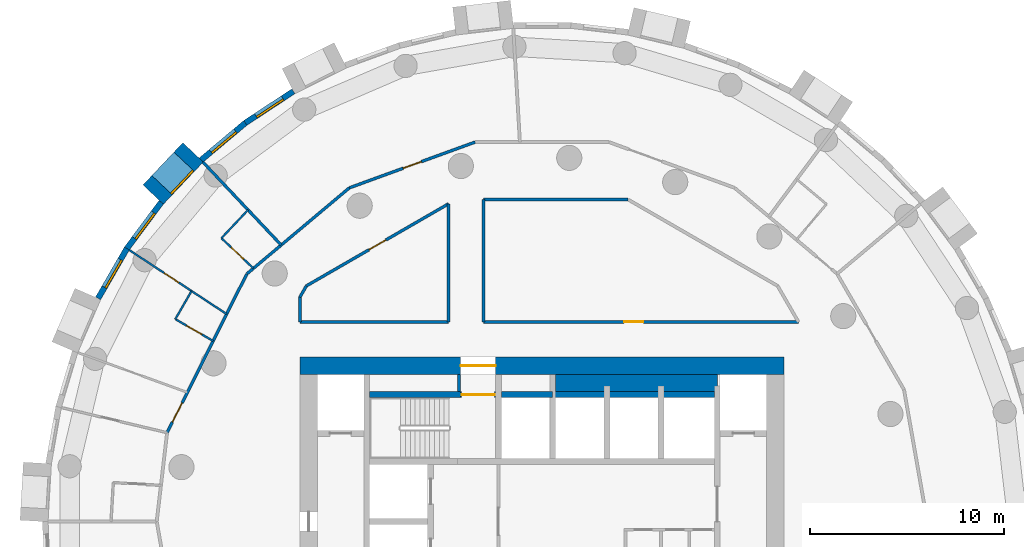
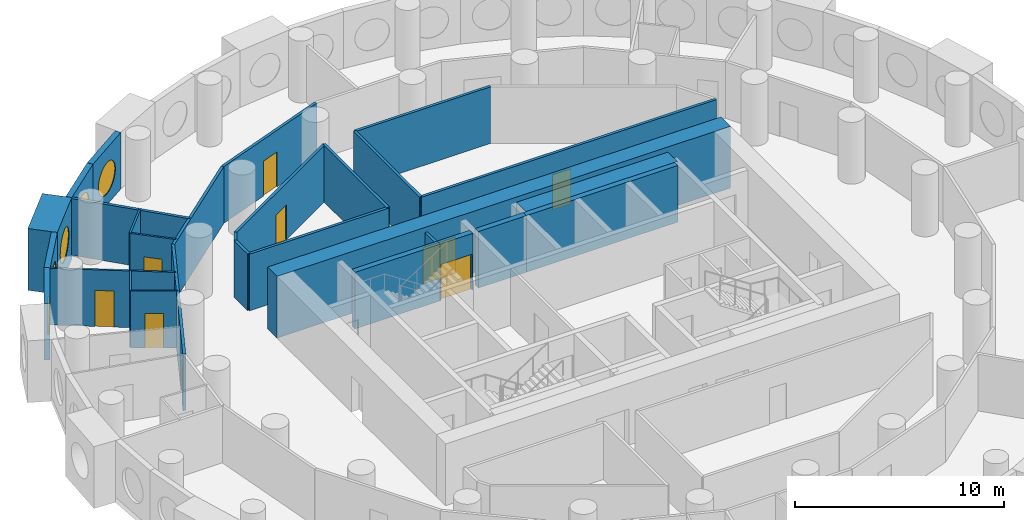
# One storey, part 6 of 9: 30 walls, 9 doors, 5 windows, 14 openings.
"""IFC4 building model written with IfcOpenShell, lengths in metres."""

from ifc_helpers import new_model, si_unit, direction, frame, frame_2d, origin, origin_2d, place, context, subcontext, project, spatial, rectangle, circle, extrude, material, layer, layer_set, type_object, element, fill, save


model = new_model("IFC4")

# Units and contexts
model_context = context("Model", 3, precision=1e-05, world=origin(), true_north=direction((0.0, 1.0)))
body_context = subcontext(model_context, "Body", "Model", "MODEL_VIEW")
ifc_project = project(units=[si_unit("LENGTHUNIT", "METRE"), si_unit("AREAUNIT", "SQUARE_METRE"), si_unit("VOLUMEUNIT", "CUBIC_METRE"), si_unit("PLANEANGLEUNIT", "RADIAN"), si_unit("MASSUNIT", "GRAM", prefix="KILO")], contexts=[model_context])

# Site, building, storey
site_placement = place(None, origin())
site = spatial("IfcSite", under=ifc_project, at=site_placement, CompositionType="ELEMENT")
building_placement = place(site_placement, origin())
building = spatial("IfcBuilding", under=site, at=building_placement, Name="Tracery Tower", CompositionType="ELEMENT")
storey_placement = place(building_placement, frame((0.0, 0.0, 180.0)))
storey = spatial("IfcBuildingStorey", under=building, at=storey_placement, Name="L46", CompositionType="ELEMENT", Elevation=180.0)

# Walls
ifc_material_1 = material(Name="Plasterboard on steel studs", Category="steel")
ifc_layer_1 = layer(ifc_material_1, 0.14990234375)
ifc_layer_set_1 = layer_set([ifc_layer_1], Name="Core room partition 150")
wall_type_1 = type_object("IfcWallType", Name="Core room partition 150", PredefinedType="SOLIDWALL", material=ifc_layer_set_1)
wall_1_placement = place(storey_placement, frame((-4.27490234375, 6.699951171875, 0.0), z_axis=(0.0, 0.0, 1.0), x_axis=(0.0, 1.0, 0.0)))
element("IfcWall", 1, at=wall_1_placement, inside=storey, type_object=wall_type_1, Name="L46 F N room", PredefinedType="SOLIDWALL", context=body_context, shape_type="SweptSolid", body=[
    extrude(rectangle(XDim=0.900146484375, YDim=0.14990234375, at=frame_2d((0.4501953125, 0.0))), origin(), (0.0, 0.0, 1.0), 3.300048828125),
])
ifc_material_2 = material(Name="Concrete C50/60", Category="concrete")
ifc_layer_2 = layer(ifc_material_2, 0.89990234375)
ifc_layer_set_2 = layer_set([ifc_layer_2], Name="Core strip wall 900 C50")
wall_type_2 = type_object("IfcWallType", Name="Core strip wall 900 C50", PredefinedType="SOLIDWALL", material=ifc_layer_set_2)
wall_2_placement = place(storey_placement, frame((0.699951171875, 7.14990234375, 0.0), z_axis=(0.0, 0.0, 1.0), x_axis=(1.0, 0.0, 0.0)))
element("IfcWall", 2, at=wall_2_placement, inside=storey, type_object=wall_type_2, Name="L46 F thick N E", PredefinedType="SOLIDWALL", context=body_context, shape_type="SweptSolid", body=[
    extrude(rectangle(XDim=8.35009765625, YDim=0.89990234375, at=frame_2d((4.175048828125, 0.0))), origin(), (0.0, 0.0, 1.0), 3.300048828125),
])

# Wall, opening, door
ifc_material_3 = material(Name="Concrete C50/60", Category="concrete")
ifc_layer_3 = layer(ifc_material_3, 0.89990234375)
ifc_layer_set_3 = layer_set([ifc_layer_3], Name="Core wall 900 C50")
wall_type_3 = type_object("IfcWallType", Name="Core wall 900 C50", PredefinedType="SOLIDWALL", material=ifc_layer_set_3)
wall_3_placement = place(storey_placement, frame((-12.5, 8.050048828125, 0.0), z_axis=(0.0, 0.0, 1.0), x_axis=(1.0, 0.0, 0.0)))
wall_3 = element("IfcWall", 3, at=wall_3_placement, inside=storey, type_object=wall_type_3, Name="L46 outer N", PredefinedType="SOLIDWALL", context=body_context, shape_type="SweptSolid", body=[
    extrude(rectangle(XDim=25.0, YDim=0.89990234375, at=frame_2d((12.5, 0.0))), origin(), (0.0, 0.0, 1.0), 3.60009765625),
])
opening_1_placement = place(wall_3_placement, frame((8.300048828125, 0.0, 0.0)))
opening_1 = element("IfcOpeningElement", 4, at=opening_1_placement, cuts=wall_3, Name="Opening KD13", PredefinedType="OPENING", context=body_context, shape_type="SweptSolid", body=[
    extrude(rectangle(XDim=1.800048828125, YDim=2.10009765625, at=frame_2d((0.89990234375, 1.050048828125))), frame((0.0, 0.449951171875, 0.0), z_axis=(0.0, -1.0, 0.0), x_axis=(1.0, 0.0, 0.0)), (0.0, 0.0, 1.0), 0.89990234375),
])
ifc_material_4 = material(Name="Steel fire door", Category="steel")
door_type_1 = type_object("IfcDoorType", Name="Core exit door 1800 double", OperationType="NOTDEFINED", PredefinedType="DOOR", material=ifc_material_4)
door_1_placement = place(opening_1_placement, origin())
door_1 = element("IfcDoor", 5, at=door_1_placement, inside=storey, type_object=door_type_1, Name="Core exit door", OperationType="DOUBLE_DOOR_SINGLE_SWING", OverallHeight=2.10009765625, OverallWidth=1.800048828125, PredefinedType="DOOR", context=body_context, shape_type="SweptSolid", body=[
    extrude(rectangle(XDim=1.800048828125, YDim=2.10009765625, at=frame_2d((0.89990234375, 1.050048828125))), frame((0.0, 0.02490234375, 0.0), z_axis=(0.0, -1.0, 0.0), x_axis=(1.0, 0.0, 0.0)), (0.0, 0.0, 1.0), 0.050048828125),
])
fill(opening_1, door_1)

# Wall, opening, window
ifc_material_5 = material(Name="Precast concrete C50/60", Category="concrete")
ifc_layer_4 = layer(ifc_material_5, 1.449951171875)
ifc_layer_set_4 = layer_set([ifc_layer_4], Name="Deep-set bay unit 3000 x 3600, slab edge 300")
wall_type_4 = type_object("IfcWallType", Name="Deep-set bay unit 3000 x 3600, slab edge 300", PredefinedType="ELEMENTEDWALL", material=ifc_layer_set_4)
wall_4_placement = place(storey_placement, frame((-18.0126953125, 19.05615234375, -0.300048828125), z_axis=(0.0, 0.0, 1.0), x_axis=(-0.686217177108, -0.727396718334, 0.0)))
wall_4 = element("IfcWall", 6, at=wall_4_placement, inside=storey, type_object=wall_type_4, Name="Deep-set bay unit 21 at L46", PredefinedType="ELEMENTEDWALL", context=body_context, shape_type="SweptSolid", body=[
    extrude(rectangle(XDim=3.0, YDim=1.449951171875, at=frame_2d((1.5, 0.0))), origin(), (0.0, 0.0, 1.0), 3.60009765625),
])
opening_2_placement = place(wall_4_placement, frame((1.5, 0.0, 1.85009765625)))
opening_2 = element("IfcOpeningElement", 7, at=opening_2_placement, cuts=wall_4, Name="Opening WN1", PredefinedType="OPENING", context=body_context, shape_type="SweptSolid", body=[
    extrude(circle(Radius=0.9000244140625, at=origin_2d()), frame((0.0, 0.73486328125, 0.0), z_axis=(0.0, -1.0, 0.0), x_axis=(1.0, 0.0, 0.0)), (0.0, 0.0, 1.0), 1.469970703125),
])
ifc_material_6 = material(Name="Aluminium frame with tinted double glazing", Category="aluminium")
window_type = type_object("IfcWindowType", Name="Round window 1800", PartitioningType="SINGLE_PANEL", PredefinedType="WINDOW", material=ifc_material_6)
window_1_placement = place(opening_2_placement, origin())
window_1 = element("IfcWindow", 8, at=window_1_placement, inside=storey, type_object=window_type, Name="Round window 21 at L46", OverallHeight=1.800048828125, OverallWidth=1.800048828125, PartitioningType="SINGLE_PANEL", PredefinedType="WINDOW", context=body_context, shape_type="SweptSolid", body=[
    extrude(circle(Radius=0.9000244140625, at=origin_2d()), frame((0.0, 0.69482421875, 0.0), z_axis=(0.0, -1.0, 0.0), x_axis=(1.0, 0.0, 0.0)), (0.0, 0.0, 1.0), 0.10009765625),
])
fill(opening_2, window_1)

ifc_material_7 = material(Name="Precast concrete C50/60", Category="concrete")
ifc_layer_5 = layer(ifc_material_7, 0.300048828125)
ifc_layer_set_5 = layer_set([ifc_layer_5], Name="Facade panel 3000 x 3300")
wall_type_5 = type_object("IfcWallType", Name="Facade panel 3000 x 3300", PredefinedType="SOLIDWALL", material=ifc_layer_set_5)
wall_5_placement = place(storey_placement, frame((-12.831787109375, 22.2060546875, 0.0), z_axis=(0.0, 0.0, 1.0), x_axis=(-0.835508361394, -0.54947773207, 0.0)))
wall_5 = element("IfcWall", 9, at=wall_5_placement, inside=storey, type_object=wall_type_5, Name="Facade panel 19 at L46", PredefinedType="SOLIDWALL", context=body_context, shape_type="SweptSolid", body=[
    extrude(rectangle(XDim=2.972900390625, YDim=0.300048828125, at=frame_2d((1.486328125, 0.0))), origin(), (0.0, 0.0, 1.0), 3.300048828125),
])
opening_3_placement = place(wall_5_placement, frame((1.486328125, 0.0, 1.5498046875)))
opening_3 = element("IfcOpeningElement", 10, at=opening_3_placement, cuts=wall_5, Name="Opening WN1", PredefinedType="OPENING", context=body_context, shape_type="SweptSolid", body=[
    extrude(circle(Radius=0.9000244140625, at=origin_2d()), frame((0.0, 0.159912109375, 0.0), z_axis=(0.0, -1.0, 0.0), x_axis=(1.0, 0.0, 0.0)), (0.0, 0.0, 1.0), 0.320068359375),
])
window_2_placement = place(opening_3_placement, origin())
window_2 = element("IfcWindow", 11, at=window_2_placement, inside=storey, type_object=window_type, Name="Round window 19 at L46", OverallHeight=1.800048828125, OverallWidth=1.800048828125, PartitioningType="SINGLE_PANEL", PredefinedType="WINDOW", context=body_context, shape_type="SweptSolid", body=[
    extrude(circle(Radius=0.9000244140625, at=origin_2d()), frame((0.0, 0.1201171875, 0.0), z_axis=(0.0, -1.0, 0.0), x_axis=(1.0, 0.0, 0.0)), (0.0, 0.0, 1.0), 0.10009765625),
])
fill(opening_3, window_2)

wall_6_placement = place(storey_placement, frame((-15.315673828125, 20.572509765625, 0.0), z_axis=(0.0, 0.0, 1.0), x_axis=(-0.766008913364, -0.642829950023, 0.0)))
wall_6 = element("IfcWall", 12, at=wall_6_placement, inside=storey, type_object=wall_type_5, Name="Facade panel 20 at L46", PredefinedType="SOLIDWALL", context=body_context, shape_type="SweptSolid", body=[
    extrude(rectangle(XDim=2.972900390625, YDim=0.300048828125, at=frame_2d((1.486328125, 0.0))), origin(), (0.0, 0.0, 1.0), 3.300048828125),
])
opening_4_placement = place(wall_6_placement, frame((1.486328125, 0.0, 1.5498046875)))
opening_4 = element("IfcOpeningElement", 13, at=opening_4_placement, cuts=wall_6, Name="Opening WN1", PredefinedType="OPENING", context=body_context, shape_type="SweptSolid", body=[
    extrude(circle(Radius=0.9000244140625, at=origin_2d()), frame((0.0, 0.159912109375, 0.0), z_axis=(0.0, -1.0, 0.0), x_axis=(1.0, 0.0, 0.0)), (0.0, 0.0, 1.0), 0.320068359375),
])
window_3_placement = place(opening_4_placement, origin())
window_3 = element("IfcWindow", 14, at=window_3_placement, inside=storey, type_object=window_type, Name="Round window 20 at L46", OverallHeight=1.800048828125, OverallWidth=1.800048828125, PartitioningType="SINGLE_PANEL", PredefinedType="WINDOW", context=body_context, shape_type="SweptSolid", body=[
    extrude(circle(Radius=0.9000244140625, at=origin_2d()), frame((0.0, 0.1201171875, 0.0), z_axis=(0.0, -1.0, 0.0), x_axis=(1.0, 0.0, 0.0)), (0.0, 0.0, 1.0), 0.10009765625),
])
fill(opening_4, window_3)

wall_7_placement = place(storey_placement, frame((-19.65283203125, 16.47802734375, 0.0), z_axis=(0.0, 0.0, 1.0), x_axis=(-0.597197580538, -0.80209416517, 0.0)))
wall_7 = element("IfcWall", 15, at=wall_7_placement, inside=storey, type_object=wall_type_5, Name="Facade panel 22 at L46", PredefinedType="SOLIDWALL", context=body_context, shape_type="SweptSolid", body=[
    extrude(rectangle(XDim=2.972900390625, YDim=0.300048828125, at=frame_2d((1.486328125, 0.0))), origin(), (0.0, 0.0, 1.0), 3.300048828125),
])
opening_5_placement = place(wall_7_placement, frame((1.486328125, 0.0, 1.5498046875)))
opening_5 = element("IfcOpeningElement", 16, at=opening_5_placement, cuts=wall_7, Name="Opening WN1", PredefinedType="OPENING", context=body_context, shape_type="SweptSolid", body=[
    extrude(circle(Radius=0.9000244140625, at=origin_2d()), frame((0.0, 0.159912109375, 0.0), z_axis=(0.0, -1.0, 0.0), x_axis=(1.0, 0.0, 0.0)), (0.0, 0.0, 1.0), 0.320068359375),
])
window_4_placement = place(opening_5_placement, origin())
window_4 = element("IfcWindow", 17, at=window_4_placement, inside=storey, type_object=window_type, Name="Round window 22 at L46", OverallHeight=1.800048828125, OverallWidth=1.800048828125, PartitioningType="SINGLE_PANEL", PredefinedType="WINDOW", context=body_context, shape_type="SweptSolid", body=[
    extrude(circle(Radius=0.9000244140625, at=origin_2d()), frame((0.0, 0.1201171875, 0.0), z_axis=(0.0, -1.0, 0.0), x_axis=(1.0, 0.0, 0.0)), (0.0, 0.0, 1.0), 0.10009765625),
])
fill(opening_5, window_4)

wall_8_placement = place(storey_placement, frame((-21.42822265625, 14.093505859375, 0.0), z_axis=(0.0, 0.0, 1.0), x_axis=(-0.499954672104, -0.866051572276, 0.0)))
wall_8 = element("IfcWall", 18, at=wall_8_placement, inside=storey, type_object=wall_type_5, Name="Facade panel 23 at L46", PredefinedType="SOLIDWALL", context=body_context, shape_type="SweptSolid", body=[
    extrude(rectangle(XDim=2.972900390625, YDim=0.300048828125, at=frame_2d((1.486328125, 0.0))), origin(), (0.0, 0.0, 1.0), 3.300048828125),
])
opening_6_placement = place(wall_8_placement, frame((1.486328125, 0.0, 1.5498046875)))
opening_6 = element("IfcOpeningElement", 19, at=opening_6_placement, cuts=wall_8, Name="Opening WN1", PredefinedType="OPENING", context=body_context, shape_type="SweptSolid", body=[
    extrude(circle(Radius=0.9000244140625, at=origin_2d()), frame((0.0, 0.159912109375, 0.0), z_axis=(0.0, -1.0, 0.0), x_axis=(1.0, 0.0, 0.0)), (0.0, 0.0, 1.0), 0.320068359375),
])
window_5_placement = place(opening_6_placement, origin())
window_5 = element("IfcWindow", 20, at=window_5_placement, inside=storey, type_object=window_type, Name="Round window 23 at L46", OverallHeight=1.800048828125, OverallWidth=1.800048828125, PartitioningType="SINGLE_PANEL", PredefinedType="WINDOW", context=body_context, shape_type="SweptSolid", body=[
    extrude(circle(Radius=0.9000244140625, at=origin_2d()), frame((0.0, 0.1201171875, 0.0), z_axis=(0.0, -1.0, 0.0), x_axis=(1.0, 0.0, 0.0)), (0.0, 0.0, 1.0), 0.10009765625),
])
fill(opening_6, window_5)

# Wall, opening, door
ifc_material_8 = material(Name="Plasterboard on steel studs", Category="steel")
ifc_layer_6 = layer(ifc_material_8, 0.10009765625)
ifc_layer_set_6 = layer_set([ifc_layer_6], Name="Partition 100 stud")
wall_type_6 = type_object("IfcWallType", Name="Partition 100 stud", PredefinedType="PARTITIONING", material=ifc_layer_set_6)
wall_9_placement = place(storey_placement, frame((-21.302978515625, 14.010986328125, 0.0), z_axis=(0.0, 0.0, 1.0), x_axis=(0.835501457061, -0.549488230309, 0.0)))
wall_9 = element("IfcWall", 21, at=wall_9_placement, inside=storey, type_object=wall_type_6, Name="Stud partition RB6-049", PredefinedType="PARTITIONING", context=body_context, shape_type="SweptSolid", body=[
    extrude(rectangle(XDim=3.845458984375, YDim=0.10009765625, at=frame_2d((1.9228515625, 0.0))), origin(), (0.0, 0.0, 1.0), 3.300048828125),
])
opening_7_placement = place(wall_9_placement, frame((2.14990234375, 0.0, 0.0)))
opening_7 = element("IfcOpeningElement", 22, at=opening_7_placement, cuts=wall_9, Name="Opening RB6-13", PredefinedType="OPENING", context=body_context, shape_type="SweptSolid", body=[
    extrude(rectangle(XDim=0.89990234375, YDim=2.10009765625, at=frame_2d((0.449951171875, 1.050048828125))), frame((0.0, 0.050048828125, 0.0), z_axis=(0.0, -1.0, 0.0), x_axis=(1.0, 0.0, 0.0)), (0.0, 0.0, 1.0), 0.10009765625),
])
ifc_material_9 = material(Name="Timber door leaf", Category="wood")
door_type_2 = type_object("IfcDoorType", Name="Door bedroom 900", OperationType="NOTDEFINED", PredefinedType="DOOR", material=ifc_material_9)
door_2_placement = place(opening_7_placement, origin())
door_2 = element("IfcDoor", 23, at=door_2_placement, inside=storey, type_object=door_type_2, Name="Bedroom door RB6-13", OperationType="SINGLE_SWING_RIGHT", OverallHeight=2.10009765625, OverallWidth=0.89990234375, PredefinedType="DOOR", context=body_context, shape_type="SweptSolid", body=[
    extrude(rectangle(XDim=0.89990234375, YDim=2.10009765625, at=frame_2d((0.449951171875, 1.050048828125))), frame((0.0, 0.02490234375, 0.0), z_axis=(0.0, -1.0, 0.0), x_axis=(1.0, 0.0, 0.0)), (0.0, 0.0, 1.0), 0.050048828125),
])
fill(opening_7, door_2)

# Wall
ifc_material_10 = material(Name="Plasterboard on steel studs", Category="steel")
ifc_layer_7 = layer(ifc_material_10, 0.10009765625)
ifc_layer_set_7 = layer_set([ifc_layer_7], Name="Partition 100 wet wall")
wall_type_7 = type_object("IfcWallType", Name="Partition 100 wet wall", PredefinedType="PARTITIONING", material=ifc_layer_set_7)
wall_10_placement = place(storey_placement, frame((-18.927978515625, 10.446044921875, 0.0), z_axis=(0.0, 0.0, 1.0), x_axis=(0.499835922194, 0.866120113428, 0.0)))
element("IfcWall", 24, at=wall_10_placement, inside=storey, type_object=wall_type_7, Name="Wet wall RB6-047", PredefinedType="PARTITIONING", context=body_context, shape_type="SweptSolid", body=[
    extrude(rectangle(XDim=1.67626953125, YDim=0.10009765625, at=frame_2d((0.838134765625, 0.0))), origin(), (0.0, 0.0, 1.0), 3.300048828125),
])

# Wall, opening, door
wall_11_placement = place(storey_placement, frame((-18.927978515625, 10.446044921875, 0.0), z_axis=(0.0, 0.0, 1.0), x_axis=(0.865942177038, -0.500144125255, 0.0)))
wall_11 = element("IfcWall", 25, at=wall_11_placement, inside=storey, type_object=wall_type_7, Name="Wet wall RB6-048", PredefinedType="PARTITIONING", context=body_context, shape_type="SweptSolid", body=[
    extrude(rectangle(XDim=2.255126953125, YDim=0.10009765625, at=frame_2d((1.12744140625, 0.0))), origin(), (0.0, 0.0, 1.0), 3.300048828125),
])
opening_8_placement = place(wall_11_placement, frame((0.677978515625, 0.0, 0.0)))
opening_8 = element("IfcOpeningElement", 26, at=opening_8_placement, cuts=wall_11, Name="Opening RB6-12", PredefinedType="OPENING", context=body_context, shape_type="SweptSolid", body=[
    extrude(rectangle(XDim=0.89990234375, YDim=2.0, at=frame_2d((0.449951171875, 1.0))), frame((0.0, 0.050048828125, 0.0), z_axis=(0.0, -1.0, 0.0), x_axis=(1.0, 0.0, 0.0)), (0.0, 0.0, 1.0), 0.10009765625),
])
ifc_material_11 = material(Name="Timber door leaf", Category="wood")
door_type_3 = type_object("IfcDoorType", Name="Door shower room 900", OperationType="NOTDEFINED", PredefinedType="DOOR", material=ifc_material_11)
door_3_placement = place(opening_8_placement, origin())
door_3 = element("IfcDoor", 27, at=door_3_placement, inside=storey, type_object=door_type_3, Name="Shower room door RB6-12", OperationType="SINGLE_SWING_RIGHT", OverallHeight=2.0, OverallWidth=0.89990234375, PredefinedType="DOOR", context=body_context, shape_type="SweptSolid", body=[
    extrude(rectangle(XDim=0.89990234375, YDim=2.0, at=frame_2d((0.449951171875, 1.0))), frame((0.0, 0.02490234375, 0.0), z_axis=(0.0, -1.0, 0.0), x_axis=(1.0, 0.0, 0.0)), (0.0, 0.0, 1.0), 0.050048828125),
])
fill(opening_8, door_3)

# Walls
wall_12_placement = place(storey_placement, frame((-18.090087890625, 11.89794921875, 0.0), z_axis=(0.0, 0.0, 1.0), x_axis=(0.835463324296, -0.549546207116, 0.0)))
element("IfcWall", 28, at=wall_12_placement, inside=storey, type_object=wall_type_7, Name="Wet wall RB6-051", PredefinedType="PARTITIONING", context=body_context, shape_type="SweptSolid", body=[
    extrude(rectangle(XDim=2.1689453125, YDim=0.10009765625, at=frame_2d((1.08447265625, 0.0))), origin(), (0.0, 0.0, 1.0), 3.300048828125),
])
wall_13_placement = place(storey_placement, frame((-16.549072265625, 14.6259765625, 0.0), z_axis=(0.0, 0.0, 1.0), x_axis=(0.686337209023, 0.727283462971, 0.0)))
element("IfcWall", 29, at=wall_13_placement, inside=storey, type_object=wall_type_7, Name="Wet wall RB6-052", PredefinedType="PARTITIONING", context=body_context, shape_type="SweptSolid", body=[
    extrude(rectangle(XDim=2.00341796875, YDim=0.10009765625, at=frame_2d((1.001708984375, 0.0))), origin(), (0.0, 0.0, 1.0), 3.300048828125),
])

# Wall, opening, door
wall_14_placement = place(storey_placement, frame((-16.549072265625, 14.6259765625, 0.0), z_axis=(0.0, 0.0, 1.0), x_axis=(0.727754926423, -0.68583727448, 0.0)))
wall_14 = element("IfcWall", 30, at=wall_14_placement, inside=storey, type_object=wall_type_7, Name="Wet wall RB6-053", PredefinedType="PARTITIONING", context=body_context, shape_type="SweptSolid", body=[
    extrude(rectangle(XDim=2.271484375, YDim=0.10009765625, at=frame_2d((1.1357421875, 0.0))), origin(), (0.0, 0.0, 1.0), 3.300048828125),
])
opening_9_placement = place(wall_14_placement, frame((0.68603515625, 0.0, 0.0)))
opening_9 = element("IfcOpeningElement", 31, at=opening_9_placement, cuts=wall_14, Name="Opening RB6-14", PredefinedType="OPENING", context=body_context, shape_type="SweptSolid", body=[
    extrude(rectangle(XDim=0.89990234375, YDim=2.0400390625, at=frame_2d((0.449951171875, 1.02001953125))), frame((0.0, 0.050048828125, 0.0), z_axis=(0.0, -1.0, 0.0), x_axis=(1.0, 0.0, 0.0)), (0.0, 0.0, 1.0), 0.10009765625),
])
ifc_material_12 = material(Name="Timber door leaf", Category="wood")
door_type_4 = type_object("IfcDoorType", Name="Door en-suite 900", OperationType="NOTDEFINED", PredefinedType="DOOR", material=ifc_material_12)
door_4_placement = place(opening_9_placement, origin())
door_4 = element("IfcDoor", 32, at=door_4_placement, inside=storey, type_object=door_type_4, Name="En-suite door RB6-14", OperationType="SINGLE_SWING_RIGHT", OverallHeight=2.0400390625, OverallWidth=0.89990234375, PredefinedType="DOOR", context=body_context, shape_type="SweptSolid", body=[
    extrude(rectangle(XDim=0.89990234375, YDim=2.0400390625, at=frame_2d((0.449951171875, 1.02001953125))), frame((0.0, 0.02490234375, 0.0), z_axis=(0.0, -1.0, 0.0), x_axis=(1.0, 0.0, 0.0)), (0.0, 0.0, 1.0), 0.050048828125),
])
fill(opening_9, door_4)

# Walls
ifc_material_13 = material(Name="Plasterboard on steel studs", Category="steel")
ifc_layer_8 = layer(ifc_material_13, 0.14990234375)
ifc_layer_set_8 = layer_set([ifc_layer_8], Name="Partition 150 acoustic unit wall")
wall_type_8 = type_object("IfcWallType", Name="Partition 150 acoustic unit wall", PredefinedType="PARTITIONING", material=ifc_layer_set_8)
wall_15_placement = place(storey_placement, frame((-17.4970703125, 18.5458984375, 0.0), z_axis=(0.0, 0.0, 1.0), x_axis=(0.68633567779, -0.727284907991, 0.0)))
element("IfcWall", 33, at=wall_15_placement, inside=storey, type_object=wall_type_8, Name="Unit wall RB6-045", PredefinedType="PARTITIONING", context=body_context, shape_type="SweptSolid", body=[
    extrude(rectangle(XDim=5.878662109375, YDim=0.14990234375, at=frame_2d((2.939453125, 0.0))), origin(), (0.0, 0.0, 1.0), 3.300048828125),
])
ifc_material_14 = material(Name="Plasterboard on steel studs", Category="steel")
ifc_layer_9 = layer(ifc_material_14, 0.14990234375)
ifc_layer_set_9 = layer_set([ifc_layer_9], Name="Partition 150 corridor wall")
wall_type_9 = type_object("IfcWallType", Name="Partition 150 corridor wall", PredefinedType="PARTITIONING", material=ifc_layer_set_9)
wall_16_placement = place(storey_placement, frame((-12.50390625, 10.300048828125, 0.0), z_axis=(0.0, 0.0, 1.0), x_axis=(1.0, 0.0, 0.0)))
element("IfcWall", 34, at=wall_16_placement, inside=storey, type_object=wall_type_9, Name="Corridor wall RB6-001", PredefinedType="PARTITIONING", context=body_context, shape_type="SweptSolid", body=[
    extrude(rectangle(XDim=7.68701171875, YDim=0.14990234375, at=frame_2d((3.843505859375, 0.0))), origin(), (0.0, 0.0, 1.0), 3.300048828125),
])

# Wall, opening, door
wall_17_placement = place(storey_placement, frame((-3.02490234375, 10.300048828125, 0.0), z_axis=(0.0, 0.0, 1.0), x_axis=(1.0, 0.0, 0.0)))
wall_17 = element("IfcWall", 35, at=wall_17_placement, inside=storey, type_object=wall_type_9, Name="Corridor wall RB6-002", PredefinedType="PARTITIONING", context=body_context, shape_type="SweptSolid", body=[
    extrude(rectangle(XDim=16.261962890625, YDim=0.14990234375, at=frame_2d((8.130859375, 0.0))), origin(), (0.0, 0.0, 1.0), 3.300048828125),
])
opening_10_placement = place(wall_17_placement, frame((7.262939453125, 0.0, 0.0)))
opening_10 = element("IfcOpeningElement", 36, at=opening_10_placement, cuts=wall_17, Name="Opening RB6-02", PredefinedType="OPENING", context=body_context, shape_type="SweptSolid", body=[
    extrude(rectangle(XDim=1.0, YDim=2.0400390625, at=frame_2d((0.5, 1.02001953125))), frame((0.0, 0.074951171875, 0.0), z_axis=(0.0, -1.0, 0.0), x_axis=(1.0, 0.0, 0.0)), (0.0, 0.0, 1.0), 0.14990234375),
])
ifc_material_15 = material(Name="Timber door leaf", Category="wood")
door_type_5 = type_object("IfcDoorType", Name="Door communal room 1000", OperationType="NOTDEFINED", PredefinedType="DOOR", material=ifc_material_15)
door_5_placement = place(opening_10_placement, origin())
door_5 = element("IfcDoor", 37, at=door_5_placement, inside=storey, type_object=door_type_5, Name="Communal room door RB6-02", OperationType="SINGLE_SWING_RIGHT", OverallHeight=2.0400390625, OverallWidth=1.0, PredefinedType="DOOR", context=body_context, shape_type="SweptSolid", body=[
    extrude(rectangle(XDim=1.0, YDim=2.0400390625, at=frame_2d((0.5, 1.02001953125))), frame((0.0, 0.02490234375, 0.0), z_axis=(0.0, -1.0, 0.0), x_axis=(1.0, 0.0, 0.0)), (0.0, 0.0, 1.0), 0.050048828125),
])
fill(opening_10, door_5)

# Wall
wall_18_placement = place(storey_placement, frame((-4.821044921875, 10.300048828125, 0.0), z_axis=(0.0, 0.0, 1.0), x_axis=(0.0, 1.0, 0.0)))
element("IfcWall", 38, at=wall_18_placement, inside=storey, type_object=wall_type_9, Name="Corridor wall RB6-013", PredefinedType="PARTITIONING", context=body_context, shape_type="SweptSolid", body=[
    extrude(rectangle(XDim=6.100830078125, YDim=0.14990234375, at=frame_2d((3.05029296875, 0.0))), origin(), (0.0, 0.0, 1.0), 3.300048828125),
])

# Wall, opening, door
wall_19_placement = place(storey_placement, frame((-12.162109375, 12.162109375, 0.0), z_axis=(0.0, 0.0, 1.0), x_axis=(0.866004766557, 0.500035743023, 0.0)))
wall_19 = element("IfcWall", 39, at=wall_19_placement, inside=storey, type_object=wall_type_9, Name="Corridor wall RB6-014", PredefinedType="PARTITIONING", context=body_context, shape_type="SweptSolid", body=[
    extrude(rectangle(XDim=8.47705078125, YDim=0.14990234375, at=frame_2d((4.238525390625, 0.0))), origin(), (0.0, 0.0, 1.0), 3.300048828125),
])
opening_11_placement = place(wall_19_placement, frame((3.739013671875, 0.0, 0.0)))
opening_11 = element("IfcOpeningElement", 40, at=opening_11_placement, cuts=wall_19, Name="Opening RB6-01", PredefinedType="OPENING", context=body_context, shape_type="SweptSolid", body=[
    extrude(rectangle(XDim=1.0, YDim=2.0400390625, at=frame_2d((0.5, 1.02001953125))), frame((0.0, 0.074951171875, 0.0), z_axis=(0.0, -1.0, 0.0), x_axis=(1.0, 0.0, 0.0)), (0.0, 0.0, 1.0), 0.14990234375),
])
door_6_placement = place(opening_11_placement, origin())
door_6 = element("IfcDoor", 41, at=door_6_placement, inside=storey, type_object=door_type_5, Name="Communal room door RB6-01", OperationType="SINGLE_SWING_LEFT", OverallHeight=2.0400390625, OverallWidth=1.0, PredefinedType="DOOR", context=body_context, shape_type="SweptSolid", body=[
    extrude(rectangle(XDim=1.0, YDim=2.0400390625, at=frame_2d((0.5, 1.02001953125))), frame((0.0, 0.02490234375, 0.0), z_axis=(0.0, -1.0, 0.0), x_axis=(1.0, 0.0, 0.0)), (0.0, 0.0, 1.0), 0.050048828125),
])
fill(opening_11, door_6)

# Walls
wall_20_placement = place(storey_placement, frame((-3.02099609375, 16.614013671875, 0.0), z_axis=(0.0, 0.0, 1.0), x_axis=(1.0, 0.0, 0.0)))
element("IfcWall", 42, at=wall_20_placement, inside=storey, type_object=wall_type_9, Name="Corridor wall RB6-016", PredefinedType="PARTITIONING", context=body_context, shape_type="SweptSolid", body=[
    extrude(rectangle(XDim=7.472900390625, YDim=0.14990234375, at=frame_2d((3.736328125, 0.0))), origin(), (0.0, 0.0, 1.0), 3.300048828125),
])
wall_21_placement = place(storey_placement, frame((-3.02099609375, 10.300048828125, 0.0), z_axis=(0.0, 0.0, 1.0), x_axis=(0.0, 1.0, 0.0)))
element("IfcWall", 43, at=wall_21_placement, inside=storey, type_object=wall_type_9, Name="Corridor wall RB6-017", PredefinedType="PARTITIONING", context=body_context, shape_type="SweptSolid", body=[
    extrude(rectangle(XDim=6.31396484375, YDim=0.14990234375, at=frame_2d((3.156982421875, 0.0))), origin(), (0.0, 0.0, 1.0), 3.300048828125),
])
wall_22_placement = place(storey_placement, frame((-15.234130859375, 12.782958984375, 0.0), z_axis=(0.0, 0.0, 1.0), x_axis=(0.765968036922, 0.642878656058, 0.0)))
element("IfcWall", 44, at=wall_22_placement, inside=storey, type_object=wall_type_9, Name="Corridor wall RB6-020", PredefinedType="PARTITIONING", context=body_context, shape_type="SweptSolid", body=[
    extrude(rectangle(XDim=6.90625, YDim=0.14990234375, at=frame_2d((3.453125, 0.0))), origin(), (0.0, 0.0, 1.0), 3.300048828125),
])

# Wall, opening, door
wall_23_placement = place(storey_placement, frame((-9.944091796875, 17.222900390625, 0.0), z_axis=(0.0, 0.0, 1.0), x_axis=(0.939672634566, 0.342075050021, 0.0)))
wall_23 = element("IfcWall", 45, at=wall_23_placement, inside=storey, type_object=wall_type_9, Name="Corridor wall RB6-021", PredefinedType="PARTITIONING", context=body_context, shape_type="SweptSolid", body=[
    extrude(rectangle(XDim=6.907958984375, YDim=0.14990234375, at=frame_2d((3.4541015625, 0.0))), origin(), (0.0, 0.0, 1.0), 3.300048828125),
])
opening_12_placement = place(wall_23_placement, frame((2.9541015625, 0.0, 0.0)))
opening_12 = element("IfcOpeningElement", 46, at=opening_12_placement, cuts=wall_23, Name="Opening RB6-09", PredefinedType="OPENING", context=body_context, shape_type="SweptSolid", body=[
    extrude(rectangle(XDim=1.0, YDim=2.0400390625, at=frame_2d((0.5, 1.02001953125))), frame((0.0, 0.074951171875, 0.0), z_axis=(0.0, -1.0, 0.0), x_axis=(1.0, 0.0, 0.0)), (0.0, 0.0, 1.0), 0.14990234375),
])
door_7_placement = place(opening_12_placement, origin())
door_7 = element("IfcDoor", 47, at=door_7_placement, inside=storey, type_object=door_type_5, Name="Communal room door RB6-09", OperationType="SINGLE_SWING_RIGHT", OverallHeight=2.0400390625, OverallWidth=1.0, PredefinedType="DOOR", context=body_context, shape_type="SweptSolid", body=[
    extrude(rectangle(XDim=1.0, YDim=2.0400390625, at=frame_2d((0.5, 1.02001953125))), frame((0.0, 0.02490234375, 0.0), z_axis=(0.0, -1.0, 0.0), x_axis=(1.0, 0.0, 0.0)), (0.0, 0.0, 1.0), 0.050048828125),
])
fill(opening_12, door_7)

# Walls
wall_24_placement = place(storey_placement, frame((-12.5, 11.576904296875, 0.0), z_axis=(0.0, 0.0, 1.0), x_axis=(0.500024767483, 0.866011103799, 0.0)))
element("IfcWall", 48, at=wall_24_placement, inside=storey, type_object=wall_type_9, Name="Corridor wall RB6-022", PredefinedType="PARTITIONING", context=body_context, shape_type="SweptSolid", body=[
    extrude(rectangle(XDim=0.67578125, YDim=0.14990234375, at=frame_2d((0.337890625, 0.0))), origin(), (0.0, 0.0, 1.0), 3.300048828125),
])
wall_25_placement = place(storey_placement, frame((-12.5, 10.300048828125, 0.0), z_axis=(0.0, 0.0, 1.0), x_axis=(0.0, 1.0, 0.0)))
element("IfcWall", 49, at=wall_25_placement, inside=storey, type_object=wall_type_9, Name="Corridor wall RB6-023", PredefinedType="PARTITIONING", context=body_context, shape_type="SweptSolid", body=[
    extrude(rectangle(XDim=1.27685546875, YDim=0.14990234375, at=frame_2d((0.638427734375, 0.0))), origin(), (0.0, 0.0, 1.0), 3.300048828125),
])

# Wall, opening, door
wall_26_placement = place(storey_placement, frame((-19.351318359375, 4.585693359375, 0.0), z_axis=(0.0, 0.0, 1.0), x_axis=(0.44867140262, 0.893696801198, 0.0)))
wall_26 = element("IfcWall", 50, at=wall_26_placement, inside=storey, type_object=wall_type_9, Name="Corridor wall RB6-026", PredefinedType="PARTITIONING", context=body_context, shape_type="SweptSolid", body=[
    extrude(rectangle(XDim=9.173583984375, YDim=0.14990234375, at=frame_2d((4.5869140625, 0.0))), origin(), (0.0, 0.0, 1.0), 3.300048828125),
])
opening_13_placement = place(wall_26_placement, frame((0.614990234375, 0.0, 0.0)))
opening_13 = element("IfcOpeningElement", 51, at=opening_13_placement, cuts=wall_26, Name="Opening RB6-10", PredefinedType="OPENING", context=body_context, shape_type="SweptSolid", body=[
    extrude(rectangle(XDim=1.10009765625, YDim=2.10009765625, at=frame_2d((0.550048828125, 1.050048828125))), frame((0.0, 0.074951171875, 0.0), z_axis=(0.0, -1.0, 0.0), x_axis=(1.0, 0.0, 0.0)), (0.0, 0.0, 1.0), 0.14990234375),
])
ifc_material_16 = material(Name="Timber door leaf", Category="wood")
door_type_6 = type_object("IfcDoorType", Name="Door cluster entrance 1100", OperationType="NOTDEFINED", PredefinedType="DOOR", material=ifc_material_16)
door_8_placement = place(opening_13_placement, origin())
door_8 = element("IfcDoor", 52, at=door_8_placement, inside=storey, type_object=door_type_6, Name="Cluster entrance door RB6-10", OperationType="SINGLE_SWING_RIGHT", OverallHeight=2.10009765625, OverallWidth=1.10009765625, PredefinedType="DOOR", context=body_context, shape_type="SweptSolid", body=[
    extrude(rectangle(XDim=1.10009765625, YDim=2.10009765625, at=frame_2d((0.550048828125, 1.050048828125))), frame((0.0, 0.02490234375, 0.0), z_axis=(0.0, -1.0, 0.0), x_axis=(1.0, 0.0, 0.0)), (0.0, 0.0, 1.0), 0.050048828125),
])
fill(opening_13, door_8)

# Wall
ifc_material_17 = material(Name="Concrete C50/60", Category="concrete")
ifc_layer_10 = layer(ifc_material_17, 0.300048828125)
ifc_layer_set_10 = layer_set([ifc_layer_10], Name="Stair wall 300 C50")
wall_type_10 = type_object("IfcWallType", Name="Stair wall 300 C50", PredefinedType="SOLIDWALL", material=ifc_layer_set_10)
wall_27_placement = place(storey_placement, frame((-8.89990234375, 6.550048828125, 0.0), z_axis=(0.0, 0.0, 1.0), x_axis=(1.0, 0.0, 0.0)))
element("IfcWall", 53, at=wall_27_placement, inside=storey, type_object=wall_type_10, Name="L46 F N W", PredefinedType="SOLIDWALL", context=body_context, shape_type="SweptSolid", body=[
    extrude(rectangle(XDim=4.699951171875, YDim=0.300048828125, at=frame_2d((2.35009765625, 0.0))), origin(), (0.0, 0.0, 1.0), 3.300048828125),
])

# Wall, opening, door
wall_28_placement = place(storey_placement, frame((-4.199951171875, 6.550048828125, 0.0), z_axis=(0.0, 0.0, 1.0), x_axis=(1.0, 0.0, 0.0)))
wall_28 = element("IfcWall", 54, at=wall_28_placement, inside=storey, type_object=wall_type_10, Name="L46 F stair N", PredefinedType="SOLIDWALL", context=body_context, shape_type="SweptSolid", body=[
    extrude(rectangle(XDim=1.800048828125, YDim=0.300048828125, at=frame_2d((0.89990234375, 0.0))), origin(), (0.0, 0.0, 1.0), 3.300048828125),
])
opening_14_placement = place(wall_28_placement, frame((0.050048828125, 0.0, 0.0)))
opening_14 = element("IfcOpeningElement", 55, at=opening_14_placement, cuts=wall_28, Name="Opening KD3", PredefinedType="OPENING", context=body_context, shape_type="SweptSolid", body=[
    extrude(rectangle(XDim=1.699951171875, YDim=2.10009765625, at=frame_2d((0.85009765625, 1.050048828125))), frame((0.0, 0.14990234375, 0.0), z_axis=(0.0, -1.0, 0.0), x_axis=(1.0, 0.0, 0.0)), (0.0, 0.0, 1.0), 0.300048828125),
])
ifc_material_18 = material(Name="Steel fire door", Category="steel")
door_type_7 = type_object("IfcDoorType", Name="Core stair door 1700 double", OperationType="NOTDEFINED", PredefinedType="DOOR", material=ifc_material_18)
door_9_placement = place(opening_14_placement, origin())
door_9 = element("IfcDoor", 56, at=door_9_placement, inside=storey, type_object=door_type_7, Name="Stair door vest", OperationType="DOUBLE_DOOR_SINGLE_SWING", OverallHeight=2.10009765625, OverallWidth=1.699951171875, PredefinedType="DOOR", context=body_context, shape_type="SweptSolid", body=[
    extrude(rectangle(XDim=1.699951171875, YDim=2.10009765625, at=frame_2d((0.85009765625, 1.050048828125))), frame((0.0, 0.02490234375, 0.0), z_axis=(0.0, -1.0, 0.0), x_axis=(1.0, 0.0, 0.0)), (0.0, 0.0, 1.0), 0.050048828125),
])
fill(opening_14, door_9)

# Walls
wall_29_placement = place(storey_placement, frame((-2.10009765625, 6.550048828125, 0.0), z_axis=(0.0, 0.0, 1.0), x_axis=(1.0, 0.0, 0.0)))
element("IfcWall", 57, at=wall_29_placement, inside=storey, type_object=wall_type_10, Name="L46 F N E1", PredefinedType="SOLIDWALL", context=body_context, shape_type="SweptSolid", body=[
    extrude(rectangle(XDim=2.650146484375, YDim=0.300048828125, at=frame_2d((1.3251953125, 0.0))), origin(), (0.0, 0.0, 1.0), 3.300048828125),
])
wall_30_placement = place(storey_placement, frame((0.550048828125, 6.550048828125, 0.0), z_axis=(0.0, 0.0, 1.0), x_axis=(1.0, 0.0, 0.0)))
element("IfcWall", 58, at=wall_30_placement, inside=storey, type_object=wall_type_10, Name="L46 F stair strip N E", PredefinedType="SOLIDWALL", context=body_context, shape_type="SweptSolid", body=[
    extrude(rectangle(XDim=8.349853515625, YDim=0.300048828125, at=frame_2d((4.1748046875, 0.0))), origin(), (0.0, 0.0, 1.0), 3.300048828125),
])

save(model, "model.ifc")
